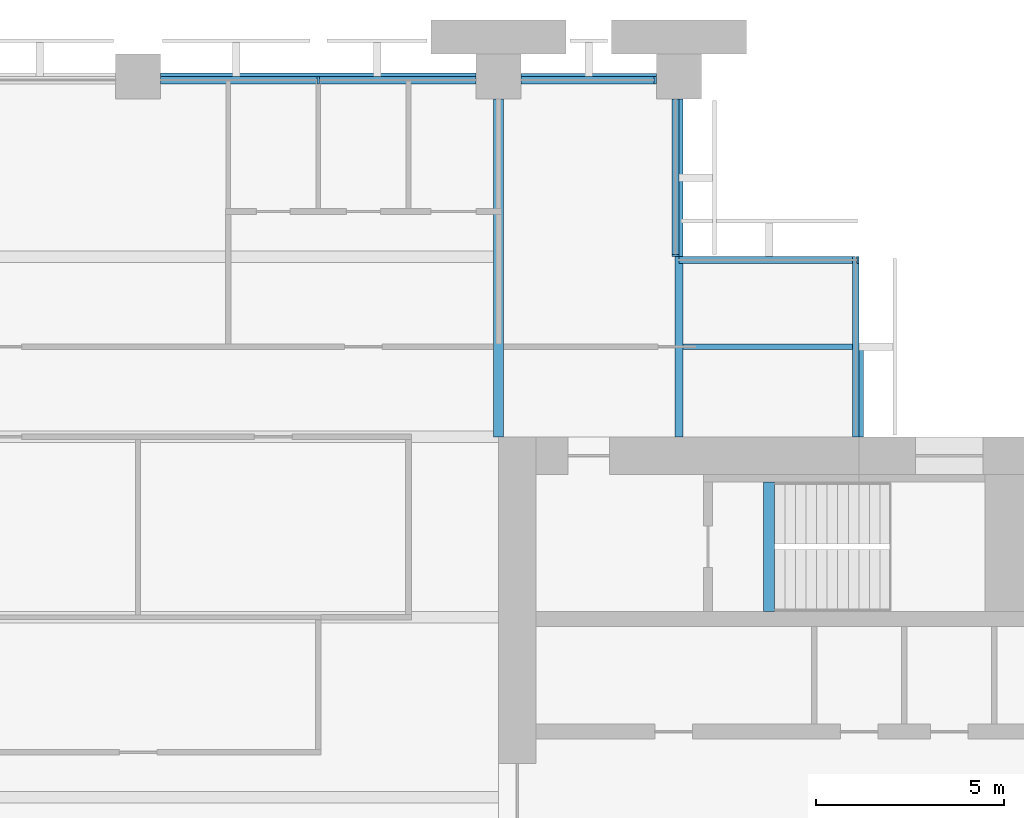
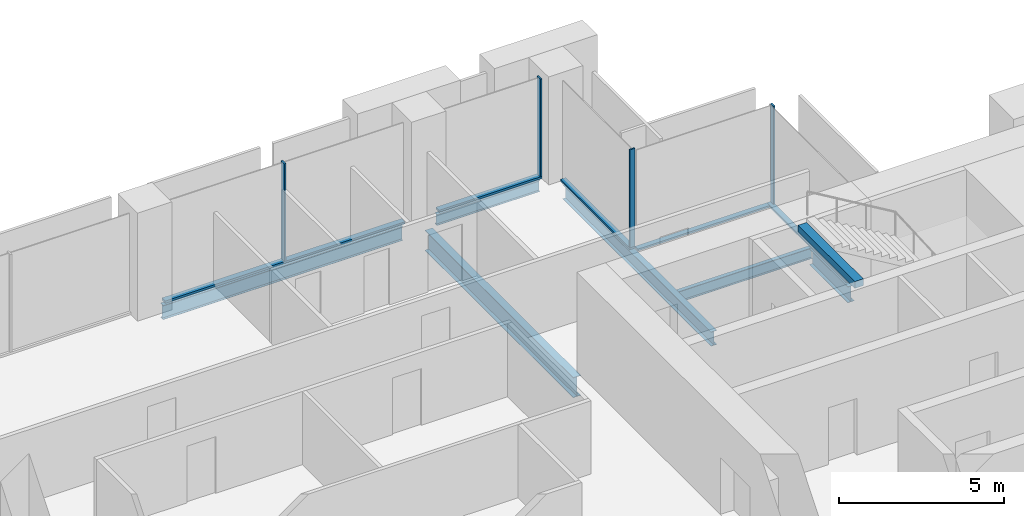
# One storey, part 6 of 13: 9 members, 7 beams, 4 elements without a shape of their own.
"""IFC4 building model written with IfcOpenShell, lengths in metres."""

from ifc_helpers import new_model, si_unit, direction, frame, origin, origin_2d, place, context, subcontext, project, spatial, rectangle, i_section, extrude, material, material_profile, profile_set, type_object, element, aggregate, save


model = new_model("IFC4")

# Units and contexts
model_context = context("Model", 3, precision=1e-05, world=origin(), true_north=direction((0.0, 1.0)))
body_context = subcontext(model_context, "Body", "Model", "MODEL_VIEW")
ifc_project = project(units=[si_unit("LENGTHUNIT", "METRE"), si_unit("AREAUNIT", "SQUARE_METRE"), si_unit("VOLUMEUNIT", "CUBIC_METRE"), si_unit("PLANEANGLEUNIT", "RADIAN"), si_unit("MASSUNIT", "GRAM", prefix="KILO")], contexts=[model_context])

# Site, building, storey
site_placement = place(None, origin())
site = spatial("IfcSite", under=ifc_project, at=site_placement, CompositionType="ELEMENT")
building_placement = place(site_placement, origin())
building = spatial("IfcBuilding", under=site, at=building_placement, Name="Baori Bourse Tower", CompositionType="ELEMENT")
storey_placement = place(building_placement, frame((0.0, 0.0, 172.10009765625)))
storey = spatial("IfcBuildingStorey", under=building, at=storey_placement, Name="L38", CompositionType="ELEMENT", Elevation=172.10009765625)

# Curtain wall, members
ifc_material_1 = material(Name="Pale anodised aluminium", Category="aluminium")
curtain_wall_type_1 = type_object("IfcCurtainWallType", Name="CW1 Curtain wall", PredefinedType="NOTDEFINED", material=ifc_material_1)
curtain_wall_1_placement = place(storey_placement, origin())
curtain_wall_1 = element("IfcCurtainWall", 1, at=curtain_wall_1_placement, inside=storey, type_object=curtain_wall_type_1, Name="Curtain wall CW1 L38 4", PredefinedType="NOTDEFINED")
ifc_material_2 = material(Name="Pale anodised aluminium", Category="aluminium")
ifc_material_profile_1 = material_profile(ifc_material_2, rectangle(XDim=0.199951171875, YDim=0.06005859375, at=origin_2d()), Name="Mullion 60x200")
ifc_profile_set_1 = profile_set([ifc_material_profile_1], Name="Pale anodised aluminium")
member_type_1 = type_object("IfcMemberType", Name="CW1 Curtain wall mullion", PredefinedType="MULLION", material=ifc_profile_set_1)
member_1_placement = place(storey_placement, frame((42.570068359375, 47.89990234375, 0.079833984375), z_axis=(0.0, 0.0, 1.0), x_axis=(0.0, -1.0, 0.0)))
member_1 = element("IfcMember", 2, at=member_1_placement, type_object=member_type_1, Name="Curtain wall CW1 mullion", PredefinedType="MULLION", context=body_context, shape_type="SweptSolid", body=[
    extrude(rectangle(XDim=0.199951171875, YDim=0.06005859375, at=origin_2d()), origin(), (0.0, 0.0, 1.0), 3.6201171875),
])
member_2_placement = place(storey_placement, frame((33.60009765625, 47.89990234375, 0.079833984375), z_axis=(0.0, 0.0, 1.0), x_axis=(0.0, -1.0, 0.0)))
member_2 = element("IfcMember", 3, at=member_2_placement, type_object=member_type_1, Name="Curtain wall CW1 mullion", PredefinedType="MULLION", context=body_context, shape_type="SweptSolid", body=[
    extrude(rectangle(XDim=0.199951171875, YDim=0.06005859375, at=origin_2d()), origin(), (0.0, 0.0, 1.0), 3.6201171875),
])
ifc_material_3 = material(Name="Pale anodised aluminium", Category="aluminium")
ifc_material_profile_2 = material_profile(ifc_material_3, rectangle(XDim=0.199951171875, YDim=0.080078125, at=origin_2d()), Name="Transom 80x200")
ifc_profile_set_2 = profile_set([ifc_material_profile_2], Name="Pale anodised aluminium")
member_type_2 = type_object("IfcMemberType", Name="CW1 Curtain wall transom", PredefinedType="USERDEFINED", material=ifc_profile_set_2)
member_3_placement = place(storey_placement, frame((42.60009765625, 47.89990234375, 0.039794921875), z_axis=(-1.0, 0.0, 0.0), x_axis=(0.0, -1.0, 0.0)))
member_3 = element("IfcMember", 4, at=member_3_placement, type_object=member_type_2, Name="Curtain wall CW1 sill rail", ObjectType="TRANSOM", PredefinedType="USERDEFINED", context=body_context, shape_type="SweptSolid", body=[
    extrude(rectangle(XDim=0.199951171875, YDim=0.080078125, at=origin_2d()), origin(), (0.0, 0.0, 1.0), 3.60009765625),
])
member_4_placement = place(storey_placement, frame((37.800048828125, 47.89990234375, 0.039794921875), z_axis=(-1.0, 0.0, 0.0), x_axis=(0.0, -1.0, 0.0)))
member_4 = element("IfcMember", 5, at=member_4_placement, type_object=member_type_2, Name="Curtain wall CW1 sill rail", ObjectType="TRANSOM", PredefinedType="USERDEFINED", context=body_context, shape_type="SweptSolid", body=[
    extrude(rectangle(XDim=0.199951171875, YDim=0.080078125, at=origin_2d()), origin(), (0.0, 0.0, 1.0), 8.400146484375),
])
aggregate(curtain_wall_1, [member_3, member_1, member_4, member_2])

# Curtain wall, member
ifc_material_4 = material(Name="Pale anodised aluminium", Category="aluminium")
curtain_wall_type_2 = type_object("IfcCurtainWallType", Name="CW2 Curtain wall", PredefinedType="NOTDEFINED", material=ifc_material_4)
curtain_wall_2_placement = place(storey_placement, origin())
curtain_wall_2 = element("IfcCurtainWall", 6, at=curtain_wall_2_placement, inside=storey, type_object=curtain_wall_type_2, Name="Curtain wall CW2 L38 2", PredefinedType="NOTDEFINED")
ifc_material_5 = material(Name="Pale anodised aluminium", Category="aluminium")
ifc_material_profile_3 = material_profile(ifc_material_5, rectangle(XDim=0.179931640625, YDim=0.054931640625, at=origin_2d()), Name="Mullion 55x180")
ifc_profile_set_3 = profile_set([ifc_material_profile_3], Name="Pale anodised aluminium")
member_type_3 = type_object("IfcMemberType", Name="CW2 Curtain wall mullion", PredefinedType="MULLION", material=ifc_profile_set_3)
member_5_placement = place(storey_placement, frame((47.972412109375, 43.110107421875, 0.06982421875), z_axis=(0.0, 0.0, 1.0), x_axis=(0.0, -1.0, 0.0)))
member_5 = element("IfcMember", 7, at=member_5_placement, type_object=member_type_3, Name="Curtain wall CW2 mullion", PredefinedType="MULLION", context=body_context, shape_type="SweptSolid", body=[
    extrude(rectangle(XDim=0.179931640625, YDim=0.054931640625, at=origin_2d()), origin(), (0.0, 0.0, 1.0), 3.630126953125),
])

curtain_wall_3_placement = place(storey_placement, origin())
curtain_wall_3 = element("IfcCurtainWall", 8, at=curtain_wall_3_placement, inside=storey, type_object=curtain_wall_type_2, Name="Curtain wall CW2 L38 3", PredefinedType="NOTDEFINED")
member_6_placement = place(storey_placement, frame((43.110107421875, 43.2275390625, 0.06982421875), z_axis=(0.0, 0.0, 1.0), x_axis=(-1.0, 0.0, 0.0)))
member_6 = element("IfcMember", 9, at=member_6_placement, type_object=member_type_3, Name="Curtain wall CW2 mullion", PredefinedType="MULLION", context=body_context, shape_type="SweptSolid", body=[
    extrude(rectangle(XDim=0.179931640625, YDim=0.054931640625, at=origin_2d()), origin(), (0.0, 0.0, 1.0), 3.630126953125),
])

curtain_wall_4_placement = place(storey_placement, origin())
curtain_wall_4 = element("IfcCurtainWall", 10, at=curtain_wall_4_placement, inside=storey, type_object=curtain_wall_type_2, Name="Curtain wall CW2 L38 1", PredefinedType="NOTDEFINED")
ifc_material_6 = material(Name="Pale anodised aluminium", Category="aluminium")
ifc_material_profile_4 = material_profile(ifc_material_6, rectangle(XDim=0.179931640625, YDim=0.070068359375, at=origin_2d()), Name="Transom 70x180")
ifc_profile_set_4 = profile_set([ifc_material_profile_4], Name="Pale anodised aluminium")
member_type_4 = type_object("IfcMemberType", Name="CW2 Curtain wall transom", PredefinedType="USERDEFINED", material=ifc_profile_set_4)
member_7_placement = place(storey_placement, frame((47.909912109375, 38.39990234375, 0.034912109375), z_axis=(0.0, 1.0, 0.0), x_axis=(-1.0, 0.0, 0.0)))
member_7 = element("IfcMember", 11, at=member_7_placement, type_object=member_type_4, Name="Curtain wall CW2 sill rail", ObjectType="TRANSOM", PredefinedType="USERDEFINED", context=body_context, shape_type="SweptSolid", body=[
    extrude(rectangle(XDim=0.179931640625, YDim=0.070068359375, at=origin_2d()), origin(), (0.0, 0.0, 1.0), 4.800048828125),
])
aggregate(curtain_wall_4, [member_7])

# Member
member_8_placement = place(storey_placement, frame((48.0, 43.110107421875, 0.034912109375), z_axis=(-1.0, 0.0, 0.0), x_axis=(0.0, -1.0, 0.0)))
member_8 = element("IfcMember", 12, at=member_8_placement, type_object=member_type_4, Name="Curtain wall CW2 sill rail", ObjectType="TRANSOM", PredefinedType="USERDEFINED", context=body_context, shape_type="SweptSolid", body=[
    extrude(rectangle(XDim=0.179931640625, YDim=0.070068359375, at=origin_2d()), origin(), (0.0, 0.0, 1.0), 4.800048828125),
])

aggregate(curtain_wall_2, [member_8, member_5])

member_9_placement = place(storey_placement, frame((43.110107421875, 43.199951171875, 0.034912109375), z_axis=(0.0, 1.0, 0.0), x_axis=(-1.0, 0.0, 0.0)))
member_9 = element("IfcMember", 13, at=member_9_placement, type_object=member_type_4, Name="Curtain wall CW2 sill rail", ObjectType="TRANSOM", PredefinedType="USERDEFINED", context=body_context, shape_type="SweptSolid", body=[
    extrude(rectangle(XDim=0.179931640625, YDim=0.070068359375, at=origin_2d()), origin(), (0.0, 0.0, 1.0), 4.199951171875),
])

aggregate(curtain_wall_3, [member_9, member_6])

# Beams
ifc_material_7 = material(Name="Steel A992 Gr 50", Category="steel")
ifc_material_profile_5 = material_profile(ifc_material_7, i_section(OverallWidth=0.227783203125, OverallDepth=0.60205078125, WebThickness=0.010498046875, FlangeThickness=0.014892578125, at=origin_2d()), Name="W24x68")
ifc_profile_set_5 = profile_set([ifc_material_profile_5], Name="Steel A992 Gr 50")
beam_type_1 = type_object("IfcBeamType", Name="Core bracket W24x68", PredefinedType="BEAM", material=ifc_profile_set_5)
beam_1_placement = place(storey_placement, frame((48.0, 38.39990234375, -0.461181640625), z_axis=(0.0, 1.0, 0.0), x_axis=(-1.0, 0.0, 0.0)))
element("IfcBeam", 14, at=beam_1_placement, inside=storey, type_object=beam_type_1, Name="Core bracket L38", PredefinedType="BEAM", context=body_context, shape_type="SweptSolid", body=[
    extrude(i_section(OverallWidth=0.227783203125, OverallDepth=0.60205078125, WebThickness=0.010498046875, FlangeThickness=0.014892578125, at=origin_2d()), origin(), (0.0, 0.0, 1.0), 2.329833984375),
])
ifc_material_8 = material(Name="Steel A992 Gr 50", Category="steel")
ifc_material_profile_6 = material_profile(ifc_material_8, i_section(OverallWidth=0.140380859375, OverallDepth=0.40380859375, WebThickness=0.007080078125, FlangeThickness=0.01123046875, at=origin_2d()), Name="W16x31")
ifc_profile_set_6 = profile_set([ifc_material_profile_6], Name="Steel A992 Gr 50")
beam_type_2 = type_object("IfcBeamType", Name="Edge beam W16x31", PredefinedType="BEAM", material=ifc_profile_set_6)
beam_2_placement = place(storey_placement, frame((39.0, 48.0, -0.362060546875), z_axis=(1.0, 0.0, 0.0), x_axis=(0.0, 1.0, 0.0)))
element("IfcBeam", 15, at=beam_2_placement, inside=storey, type_object=beam_type_2, Name="Edge beam L38", PredefinedType="BEAM", context=body_context, shape_type="SweptSolid", body=[
    extrude(i_section(OverallWidth=0.140380859375, OverallDepth=0.40380859375, WebThickness=0.007080078125, FlangeThickness=0.01123046875, at=origin_2d()), origin(), (0.0, 0.0, 1.0), 3.60009765625),
])
ifc_material_9 = material(Name="Steel A992 Gr 50", Category="steel")
ifc_material_profile_7 = material_profile(ifc_material_9, i_section(OverallWidth=0.1650390625, OverallDepth=0.52587890625, WebThickness=0.0087890625, FlangeThickness=0.011474609375, at=origin_2d()), Name="W21x44")
ifc_profile_set_7 = profile_set([ifc_material_profile_7], Name="Steel A992 Gr 50")
beam_type_3 = type_object("IfcBeamType", Name="Edge beam W21x44", PredefinedType="BEAM", material=ifc_profile_set_7)
beam_3_placement = place(storey_placement, frame((29.39990234375, 48.0, -0.423095703125), z_axis=(1.0, 0.0, 0.0), x_axis=(0.0, 1.0, 0.0)))
element("IfcBeam", 16, at=beam_3_placement, inside=storey, type_object=beam_type_3, Name="Edge beam L38", PredefinedType="BEAM", context=body_context, shape_type="SweptSolid", body=[
    extrude(i_section(OverallWidth=0.1650390625, OverallDepth=0.52587890625, WebThickness=0.0087890625, FlangeThickness=0.011474609375, at=origin_2d()), origin(), (0.0, 0.0, 1.0), 8.400146484375),
])
ifc_material_10 = material(Name="Steel A992 Gr 50", Category="steel")
ifc_material_profile_8 = material_profile(ifc_material_10, i_section(OverallWidth=0.209228515625, OverallDepth=0.533447265625, WebThickness=0.01025390625, FlangeThickness=0.015625, at=origin_2d()), Name="W21x62")
ifc_profile_set_8 = profile_set([ifc_material_profile_8], Name="Steel A992 Gr 50")
beam_type_4 = type_object("IfcBeamType", Name="Floor beam W21x62", PredefinedType="BEAM", material=ifc_profile_set_8)
beam_4_placement = place(storey_placement, frame((43.199951171875, 38.39990234375, -0.4267578125), z_axis=(0.0, 1.0, 0.0), x_axis=(-1.0, 0.0, 0.0)))
element("IfcBeam", 17, at=beam_4_placement, inside=storey, type_object=beam_type_4, Name="Floor beam L38", PredefinedType="BEAM", context=body_context, shape_type="SweptSolid", body=[
    extrude(i_section(OverallWidth=0.209228515625, OverallDepth=0.533447265625, WebThickness=0.01025390625, FlangeThickness=0.015625, at=origin_2d()), origin(), (0.0, 0.0, 1.0), 9.0),
])
ifc_material_11 = material(Name="Steel A992 Gr 50", Category="steel")
ifc_material_profile_9 = material_profile(ifc_material_11, i_section(OverallWidth=0.26416015625, OverallDepth=0.749267578125, WebThickness=0.011962890625, FlangeThickness=0.015380859375, at=origin_2d()), Name="W30x90")
ifc_profile_set_9 = profile_set([ifc_material_profile_9], Name="Steel A992 Gr 50")
beam_type_5 = type_object("IfcBeamType", Name="Girder W30x90", PredefinedType="BEAM", material=ifc_profile_set_9)
beam_5_placement = place(storey_placement, frame((38.39990234375, 38.39990234375, -0.53466796875), z_axis=(0.0, 1.0, 0.0), x_axis=(-1.0, 0.0, 0.0)))
element("IfcBeam", 18, at=beam_5_placement, inside=storey, type_object=beam_type_5, Name="Girder L38", PredefinedType="BEAM", context=body_context, shape_type="SweptSolid", body=[
    extrude(i_section(OverallWidth=0.26416015625, OverallDepth=0.749267578125, WebThickness=0.011962890625, FlangeThickness=0.015380859375, at=origin_2d()), origin(), (0.0, 0.0, 1.0), 9.0),
])
ifc_material_12 = material(Name="Concrete f'c 50 MPa", Category="concrete")
ifc_material_profile_10 = material_profile(ifc_material_12, rectangle(XDim=0.300048828125, YDim=0.25, at=origin_2d()), Name="RC 300x250")
ifc_profile_set_10 = profile_set([ifc_material_profile_10], Name="Concrete f'c 50 MPa")
beam_type_6 = type_object("IfcBeamType", Name="Stair nib beam RC 300x250", PredefinedType="BEAM", material=ifc_profile_set_10)
beam_6_placement = place(storey_placement, frame((45.60009765625, 33.75, 3.574951171875), z_axis=(0.0, 1.0, 0.0), x_axis=(-1.0, 0.0, 0.0)))
element("IfcBeam", 19, at=beam_6_placement, inside=storey, type_object=beam_type_6, Name="Stair EB nib beam L39", PredefinedType="BEAM", context=body_context, shape_type="SweptSolid", body=[
    extrude(rectangle(XDim=0.300048828125, YDim=0.25, at=origin_2d()), origin(), (0.0, 0.0, 1.0), 3.449951171875),
])
ifc_material_13 = material(Name="Steel A992 Gr 50", Category="steel")
ifc_material_profile_11 = material_profile(ifc_material_13, i_section(OverallWidth=0.140380859375, OverallDepth=0.40380859375, WebThickness=0.007080078125, FlangeThickness=0.01123046875, at=origin_2d()), Name="W16x31")
ifc_profile_set_11 = profile_set([ifc_material_profile_11], Name="Steel A992 Gr 50")
beam_type_7 = type_object("IfcBeamType", Name="Trimmer beam W16x31", PredefinedType="BEAM", material=ifc_profile_set_11)
beam_7_placement = place(storey_placement, frame((43.3046875, 40.800048828125, -0.362060546875), z_axis=(1.0, 0.0, 0.0), x_axis=(0.0, 1.0, 0.0)))
element("IfcBeam", 20, at=beam_7_placement, inside=storey, type_object=beam_type_7, Name="Trimmer beam L38", PredefinedType="BEAM", context=body_context, shape_type="SweptSolid", body=[
    extrude(i_section(OverallWidth=0.140380859375, OverallDepth=0.40380859375, WebThickness=0.007080078125, FlangeThickness=0.01123046875, at=origin_2d()), origin(), (0.0, 0.0, 1.0), 4.6953125),
])

save(model, "model.ifc")
